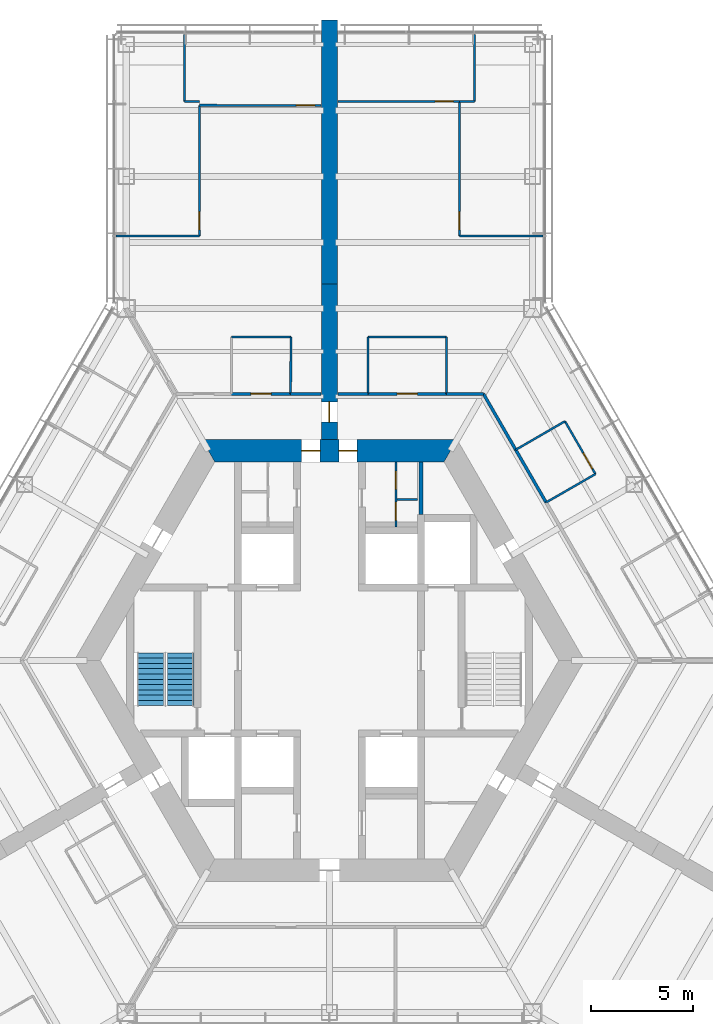
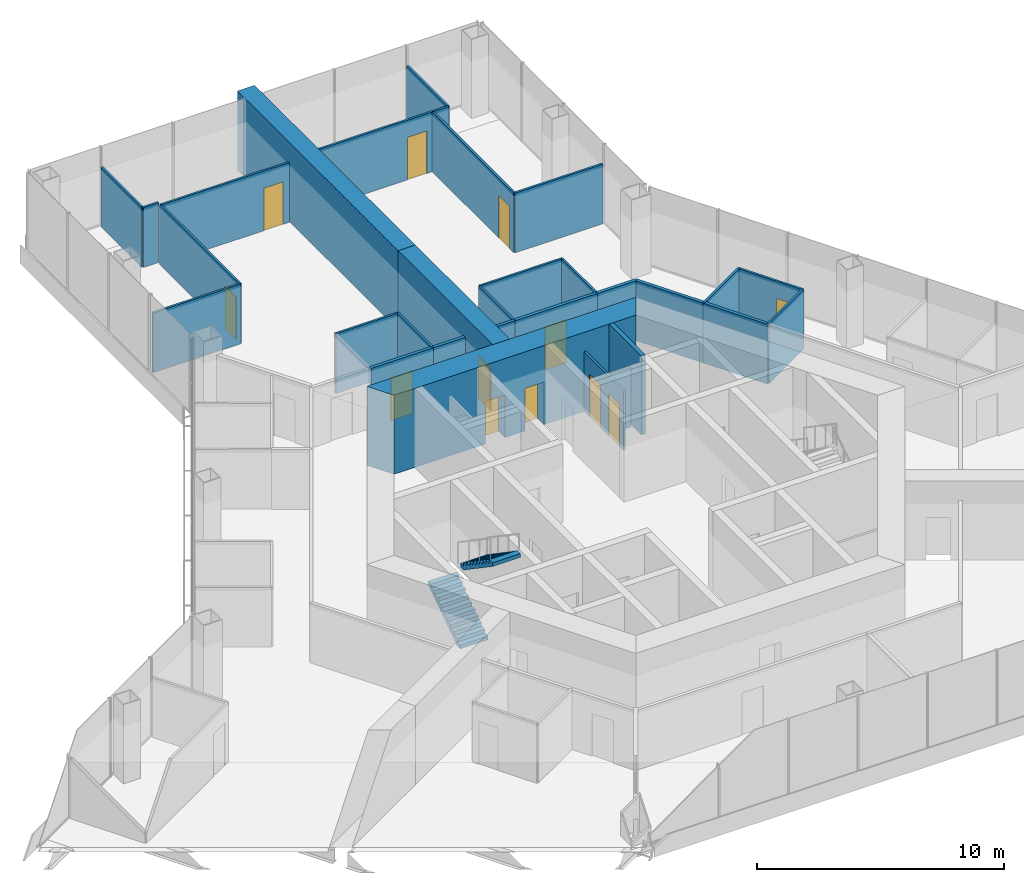
# One storey, part 15 of 18: 31 walls, 12 doors, 2 stair flights, 12 openings, 1 element without a shape of its own.
"""IFC4 building model written with IfcOpenShell, lengths in metres."""

from ifc_helpers import new_model, si_unit, direction, frame, frame_2d, origin, place, context, subcontext, project, spatial, polyline, rectangle, outline, extrude, material, layer, layer_set, type_object, element, fill, aggregate, save


model = new_model("IFC4")

# Units and contexts
model_context = context("Model", 3, precision=1e-05, world=origin(), true_north=direction((0.0, 1.0)))
body_context = subcontext(model_context, "Body", "Model", "MODEL_VIEW")
ifc_project = project(units=[si_unit("LENGTHUNIT", "METRE"), si_unit("AREAUNIT", "SQUARE_METRE"), si_unit("VOLUMEUNIT", "CUBIC_METRE"), si_unit("PLANEANGLEUNIT", "RADIAN"), si_unit("MASSUNIT", "GRAM", prefix="KILO")], contexts=[model_context])

# Site, building, storey
site_placement = place(None, origin())
site = spatial("IfcSite", under=ifc_project, at=site_placement, CompositionType="ELEMENT")
building_placement = place(site_placement, origin())
building = spatial("IfcBuilding", under=site, at=building_placement, Name="Kasaneha Research Tower", CompositionType="ELEMENT")
storey_placement = place(building_placement, frame((0.0, 0.0, 69.0)))
storey = spatial("IfcBuildingStorey", under=building, at=storey_placement, Name="L17", CompositionType="ELEMENT", Elevation=69.0)

# Wall, openings, doors
ifc_material_1 = material(Name="Concrete Fc80", Category="concrete")
ifc_layer_1 = layer(ifc_material_1, 1.10009765625)
ifc_layer_set_1 = layer_set([ifc_layer_1], Name="Core wall 1100 Fc80")
wall_type_1 = type_object("IfcWallType", Name="Core wall 1100 Fc80", PredefinedType="SHEAR", material=ifc_layer_set_1)
wall_1_placement = place(storey_placement, frame((5.961181640625, 10.324951171875, 0.0), z_axis=(0.0, 0.0, 1.0), x_axis=(-1.0, 0.0, 0.0)))
wall_1 = element("IfcWall", 1, at=wall_1_placement, inside=storey, type_object=wall_type_1, Name="Core wall 090 L17", PredefinedType="SHEAR", context=body_context, shape_type="SweptSolid", body=[
    extrude(outline(polyline([(-0.317626953125, -0.550048828125), (4.5986328125, -0.550048828125), (5.49853515625, -0.550048828125), (6.423583984375, -0.550048828125), (7.323486328125, -0.550048828125), (12.239990234375, -0.550048828125), (11.604736328125, 0.550048828125), (7.323486328125, 0.550048828125), (6.423583984375, 0.550048828125), (5.49853515625, 0.550048828125), (4.5986328125, 0.550048828125), (0.317626953125, 0.550048828125), (-0.317626953125, -0.550048828125)])), origin(), (0.0, 0.0, 1.0), 3.89990234375),
])
opening_1_placement = place(wall_1_placement, frame((6.423583984375, 0.0, 0.0)))
opening_1 = element("IfcOpeningElement", 2, at=opening_1_placement, cuts=wall_1, Name="Opening L17-D01", PredefinedType="OPENING", context=body_context, shape_type="SweptSolid", body=[
    extrude(rectangle(XDim=0.89990234375, YDim=2.10009765625, at=frame_2d((0.449951171875, 1.050048828125))), frame((0.0, 0.56005859375, 0.0), z_axis=(0.0, -1.0, 0.0), x_axis=(1.0, 0.0, 0.0)), (0.0, 0.0, 1.0), 1.1201171875),
])
opening_2_placement = place(wall_1_placement, frame((4.5986328125, 0.0, 0.0)))
opening_2 = element("IfcOpeningElement", 3, at=opening_2_placement, cuts=wall_1, Name="Opening L17-D02", PredefinedType="OPENING", context=body_context, shape_type="SweptSolid", body=[
    extrude(rectangle(XDim=0.89990234375, YDim=2.10009765625, at=frame_2d((0.449951171875, 1.050048828125))), frame((0.0, 0.56005859375, 0.0), z_axis=(0.0, -1.0, 0.0), x_axis=(1.0, 0.0, 0.0)), (0.0, 0.0, 1.0), 1.1201171875),
])
ifc_material_2 = material(Name="Steel", Category="steel")
door_type_1 = type_object("IfcDoorType", Name="Toilet door FD20 900x2100", OperationType="NOTDEFINED", PredefinedType="DOOR", material=ifc_material_2)
door_1_placement = place(opening_1_placement, origin())
door_1 = element("IfcDoor", 4, at=door_1_placement, inside=storey, type_object=door_type_1, Name="Core door north 1 L17-D01", OperationType="SINGLE_SWING_RIGHT", OverallHeight=2.10009765625, OverallWidth=0.89990234375, PredefinedType="DOOR", context=body_context, shape_type="SweptSolid", body=[
    extrude(rectangle(XDim=0.89990234375, YDim=2.10009765625, at=frame_2d((0.449951171875, 1.050048828125))), frame((0.0, 0.02490234375, 0.0), z_axis=(0.0, -1.0, 0.0), x_axis=(1.0, 0.0, 0.0)), (0.0, 0.0, 1.0), 0.050048828125),
])
fill(opening_1, door_1)
door_2_placement = place(opening_2_placement, origin())
door_2 = element("IfcDoor", 5, at=door_2_placement, inside=storey, type_object=door_type_1, Name="Core door north 2 L17-D02", OperationType="SINGLE_SWING_LEFT", OverallHeight=2.10009765625, OverallWidth=0.89990234375, PredefinedType="DOOR", context=body_context, shape_type="SweptSolid", body=[
    extrude(rectangle(XDim=0.89990234375, YDim=2.10009765625, at=frame_2d((0.449951171875, 1.050048828125))), frame((0.0, 0.02490234375, 0.0), z_axis=(0.0, -1.0, 0.0), x_axis=(1.0, 0.0, 0.0)), (0.0, 0.0, 1.0), 0.050048828125),
])
fill(opening_2, door_2)

ifc_material_3 = material(Name="Gypsum board on steel studs, one layer each side", Category="steel")
ifc_layer_2 = layer(ifc_material_3, 0.10009765625)
ifc_layer_set_2 = layer_set([ifc_layer_2], Name="Office partition 100")
wall_type_2 = type_object("IfcWallType", Name="Office partition 100", PredefinedType="PARTITIONING", material=ifc_layer_set_2)
wall_2_placement = place(storey_placement, frame((3.27490234375, 6.574951171875, 0.0), z_axis=(0.0, 0.0, 1.0), x_axis=(0.0, 1.0, 0.0)))
wall_2 = element("IfcWall", 6, at=wall_2_placement, inside=storey, type_object=wall_type_2, Name="Office partition TBF1 L17", PredefinedType="PARTITIONING", context=body_context, shape_type="SweptSolid", body=[
    extrude(rectangle(XDim=3.199951171875, YDim=0.10009765625, at=frame_2d((1.60009765625, 0.0))), origin(), (0.0, 0.0, 1.0), 2.949951171875),
])
opening_3_placement = place(wall_2_placement, frame((1.85009765625, 0.0, 0.0)))
opening_3 = element("IfcOpeningElement", 7, at=opening_3_placement, cuts=wall_2, Name="Opening L17-D22", PredefinedType="OPENING", context=body_context, shape_type="SweptSolid", body=[
    extrude(rectangle(XDim=0.89990234375, YDim=2.10009765625, at=frame_2d((0.449951171875, 1.050048828125))), frame((0.0, 0.06005859375, 0.0), z_axis=(0.0, -1.0, 0.0), x_axis=(1.0, 0.0, 0.0)), (0.0, 0.0, 1.0), 0.1201171875),
])
opening_4_placement = place(wall_2_placement, frame((0.324951171875, 0.0, 0.0)))
opening_4 = element("IfcOpeningElement", 8, at=opening_4_placement, cuts=wall_2, Name="Opening L17-D23", PredefinedType="OPENING", context=body_context, shape_type="SweptSolid", body=[
    extrude(rectangle(XDim=0.89990234375, YDim=2.10009765625, at=frame_2d((0.449951171875, 1.050048828125))), frame((0.0, 0.06005859375, 0.0), z_axis=(0.0, -1.0, 0.0), x_axis=(1.0, 0.0, 0.0)), (0.0, 0.0, 1.0), 0.1201171875),
])
ifc_material_4 = material(Name="Steel", Category="steel")
door_type_2 = type_object("IfcDoorType", Name="Toilet lobby door FD30 900x2100", OperationType="NOTDEFINED", PredefinedType="DOOR", material=ifc_material_4)
door_3_placement = place(opening_3_placement, origin())
door_3 = element("IfcDoor", 9, at=door_3_placement, inside=storey, type_object=door_type_2, Name="Women's WC door L17-D22", OperationType="SINGLE_SWING_RIGHT", OverallHeight=2.10009765625, OverallWidth=0.89990234375, PredefinedType="DOOR", context=body_context, shape_type="SweptSolid", body=[
    extrude(rectangle(XDim=0.89990234375, YDim=2.10009765625, at=frame_2d((0.449951171875, 1.050048828125))), frame((0.0, 0.02490234375, 0.0), z_axis=(0.0, -1.0, 0.0), x_axis=(1.0, 0.0, 0.0)), (0.0, 0.0, 1.0), 0.050048828125),
])
fill(opening_3, door_3)
door_4_placement = place(opening_4_placement, origin())
door_4 = element("IfcDoor", 10, at=door_4_placement, inside=storey, type_object=door_type_2, Name="Cleaner's store door L17-D23", OperationType="SINGLE_SWING_RIGHT", OverallHeight=2.10009765625, OverallWidth=0.89990234375, PredefinedType="DOOR", context=body_context, shape_type="SweptSolid", body=[
    extrude(rectangle(XDim=0.89990234375, YDim=2.10009765625, at=frame_2d((0.449951171875, 1.050048828125))), frame((0.0, 0.02490234375, 0.0), z_axis=(0.0, -1.0, 0.0), x_axis=(1.0, 0.0, 0.0)), (0.0, 0.0, 1.0), 0.050048828125),
])
fill(opening_4, door_4)

# Walls
wall_3_placement = place(storey_placement, frame((3.324951171875, 7.925048828125, 0.0), z_axis=(0.0, 0.0, 1.0), x_axis=(1.0, 0.0, 0.0)))
element("IfcWall", 11, at=wall_3_placement, inside=storey, type_object=wall_type_2, Name="Office partition TBF2 L17", PredefinedType="PARTITIONING", context=body_context, shape_type="SweptSolid", body=[
    extrude(rectangle(XDim=1.0, YDim=0.10009765625, at=frame_2d((0.5, 0.0))), origin(), (0.0, 0.0, 1.0), 2.949951171875),
])
wall_4_placement = place(storey_placement, frame((1.89990234375, 15.925048828125, 0.0), z_axis=(0.0, 0.0, 1.0), x_axis=(1.0, 0.0, 0.0)))
element("IfcWall", 12, at=wall_4_placement, inside=storey, type_object=wall_type_2, Name="Office partition FAE07 L17", PredefinedType="PARTITIONING", context=body_context, shape_type="SweptSolid", body=[
    extrude(rectangle(XDim=3.857177734375, YDim=0.10009765625, at=frame_2d((1.9287109375, 0.0))), origin(), (0.0, 0.0, 1.0), 2.949951171875),
])
for number, where, z_axis, x_axis, name in (
    (13, (1.904541015625, 13.125, 0.0), (0.0, 0.0, 1.0), (-0.001656637364, 0.999998627775, 0.0), "Office partition FAE08 L17"),
    (14, (5.757080078125, 15.925048828125, 0.0), (0.0, 0.0, 1.0), (-0.001656637364, -0.999998627775, 0.0), "Office partition FAE09 L17"),
    (15, (9.168701171875, 10.369140625, 0.0), (0.0, 0.0, 1.0), (0.865255114713, 0.501331812737, 0.0), "Office partition FAE10 L17"),
):
    element("IfcWall", number, at=place(storey_placement, frame(where, z_axis=z_axis, x_axis=x_axis)), inside=storey, type_object=wall_type_2, Name=name, PredefinedType="PARTITIONING", context=body_context, shape_type="SweptSolid", body=[
        extrude(rectangle(XDim=2.800048828125, YDim=0.10009765625, at=frame_2d((1.39990234375, 0.0))), origin(), (0.0, 0.0, 1.0), 2.949951171875),
    ])

# Wall, opening, door
wall_5_placement = place(storey_placement, frame((11.591552734375, 11.77294921875, 0.0), z_axis=(0.0, 0.0, 1.0), x_axis=(0.499990139034, -0.866031096941, 0.0)))
wall_5 = element("IfcWall", 16, at=wall_5_placement, inside=storey, type_object=wall_type_2, Name="Office partition FAE11 L17", PredefinedType="PARTITIONING", context=body_context, shape_type="SweptSolid", body=[
    extrude(rectangle(XDim=3.0, YDim=0.10009765625, at=frame_2d((1.5, 0.0))), origin(), (0.0, 0.0, 1.0), 2.949951171875),
])
opening_5_placement = place(wall_5_placement, frame((1.800048828125, 0.0, 0.0)))
opening_5 = element("IfcOpeningElement", 17, at=opening_5_placement, cuts=wall_5, Name="Opening L17-D30", PredefinedType="OPENING", context=body_context, shape_type="SweptSolid", body=[
    extrude(rectangle(XDim=0.89990234375, YDim=2.10009765625, at=frame_2d((0.449951171875, 1.050048828125))), frame((0.0, 0.06005859375, 0.0), z_axis=(0.0, -1.0, 0.0), x_axis=(1.0, 0.0, 0.0)), (0.0, 0.0, 1.0), 0.1201171875),
])
ifc_material_5 = material(Name="Timber veneer", Category="wood")
door_type_3 = type_object("IfcDoorType", Name="Office door 900x2100", OperationType="SINGLE_SWING_LEFT", PredefinedType="DOOR", material=ifc_material_5)
door_5_placement = place(opening_5_placement, origin())
door_5 = element("IfcDoor", 18, at=door_5_placement, inside=storey, type_object=door_type_3, Name="Pantry door L17-D30", OperationType="SINGLE_SWING_RIGHT", OverallHeight=2.10009765625, OverallWidth=0.89990234375, PredefinedType="DOOR", context=body_context, shape_type="SweptSolid", body=[
    extrude(rectangle(XDim=0.89990234375, YDim=2.10009765625, at=frame_2d((0.449951171875, 1.050048828125))), frame((0.0, 0.02490234375, 0.0), z_axis=(0.0, -1.0, 0.0), x_axis=(1.0, 0.0, 0.0)), (0.0, 0.0, 1.0), 0.050048828125),
])
fill(opening_5, door_5)

# Walls
wall_6_placement = place(storey_placement, frame((13.091552734375, 9.1748046875, 0.0), z_axis=(0.0, 0.0, 1.0), x_axis=(-0.866855433567, -0.498559582492, 0.0)))
element("IfcWall", 19, at=wall_6_placement, inside=storey, type_object=wall_type_2, Name="Office partition FAE12 L17", PredefinedType="PARTITIONING", context=body_context, shape_type="SweptSolid", body=[
    extrude(rectangle(XDim=2.800048828125, YDim=0.10009765625, at=frame_2d((1.39990234375, 0.0))), origin(), (0.0, 0.0, 1.0), 2.949951171875),
])
wall_7_placement = place(storey_placement, frame((6.39892578125, 27.515380859375, 0.0), z_axis=(0.0, 0.0, 1.0), x_axis=(0.999975631037, 0.00698121285, 0.0)))
element("IfcWall", 20, at=wall_7_placement, inside=storey, type_object=wall_type_2, Name="Office partition FAE13 L17", PredefinedType="PARTITIONING", context=body_context, shape_type="SweptSolid", body=[
    extrude(rectangle(XDim=0.734375, YDim=0.10009765625, at=frame_2d((0.3671875, 0.0))), origin(), (0.0, 0.0, 1.0), 2.949951171875),
])
wall_8_placement = place(storey_placement, frame((7.13330078125, 27.5205078125, 0.0), z_axis=(0.0, 0.0, 1.0), x_axis=(0.000148864903, 0.99999998892, 0.0)))
element("IfcWall", 21, at=wall_8_placement, inside=storey, type_object=wall_type_2, Name="Office partition FAE14 L17", PredefinedType="PARTITIONING", context=body_context, shape_type="SweptSolid", body=[
    extrude(rectangle(XDim=3.280029296875, YDim=0.10009765625, at=frame_2d((1.64013671875, 0.0))), origin(), (0.0, 0.0, 1.0), 2.949951171875),
])

# Wall, opening, door
wall_9_placement = place(storey_placement, frame((6.39990234375, 20.89111328125, 0.0), z_axis=(0.0, 0.0, 1.0), x_axis=(0.000626104768, 0.999999803996, 0.0)))
wall_9 = element("IfcWall", 22, at=wall_9_placement, inside=storey, type_object=wall_type_2, Name="Office partition FAE15 L17", PredefinedType="PARTITIONING", context=body_context, shape_type="SweptSolid", body=[
    extrude(rectangle(XDim=6.62890625, YDim=0.10009765625, at=frame_2d((3.314453125, 0.0))), origin(), (0.0, 0.0, 1.0), 2.949951171875),
])
opening_6_placement = place(wall_9_placement, frame((0.300048828125, 0.0, 0.0)))
opening_6 = element("IfcOpeningElement", 23, at=opening_6_placement, cuts=wall_9, Name="Opening L17-D31", PredefinedType="OPENING", context=body_context, shape_type="SweptSolid", body=[
    extrude(rectangle(XDim=0.89990234375, YDim=2.10009765625, at=frame_2d((0.449951171875, 1.050048828125))), frame((0.0, 0.06005859375, 0.0), z_axis=(0.0, -1.0, 0.0), x_axis=(1.0, 0.0, 0.0)), (0.0, 0.0, 1.0), 0.1201171875),
])
door_6_placement = place(opening_6_placement, origin())
door_6 = element("IfcDoor", 24, at=door_6_placement, inside=storey, type_object=door_type_3, Name="Project room door L17-D31", OperationType="SINGLE_SWING_LEFT", OverallHeight=2.10009765625, OverallWidth=0.89990234375, PredefinedType="DOOR", context=body_context, shape_type="SweptSolid", body=[
    extrude(rectangle(XDim=0.89990234375, YDim=2.10009765625, at=frame_2d((0.449951171875, 1.050048828125))), frame((0.0, 0.02490234375, 0.0), z_axis=(0.0, -1.0, 0.0), x_axis=(1.0, 0.0, 0.0)), (0.0, 0.0, 1.0), 0.050048828125),
])
fill(opening_6, door_6)

# Wall
wall_10_placement = place(storey_placement, frame((10.5, 20.89111328125, 0.0), z_axis=(0.0, 0.0, 1.0), x_axis=(-1.0, 0.0, 0.0)))
element("IfcWall", 25, at=wall_10_placement, inside=storey, type_object=wall_type_2, Name="Office partition FAE16 L17", PredefinedType="PARTITIONING", context=body_context, shape_type="SweptSolid", body=[
    extrude(rectangle(XDim=4.10009765625, YDim=0.10009765625, at=frame_2d((2.050048828125, 0.0))), origin(), (0.0, 0.0, 1.0), 2.949951171875),
])

# Wall, opening, door
wall_11_placement = place(storey_placement, frame((6.404052734375, 27.5205078125, 0.0), z_axis=(0.0, 0.0, 1.0), x_axis=(-1.0, 0.0, 0.0)))
wall_11 = element("IfcWall", 26, at=wall_11_placement, inside=storey, type_object=wall_type_2, Name="Office partition FAE17 L17", PredefinedType="PARTITIONING", context=body_context, shape_type="SweptSolid", body=[
    extrude(rectangle(XDim=5.984130859375, YDim=0.10009765625, at=frame_2d((2.9921875, 0.0))), origin(), (0.0, 0.0, 1.0), 2.949951171875),
])
opening_7_placement = place(wall_11_placement, frame((0.300048828125, 0.0, 0.0)))
opening_7 = element("IfcOpeningElement", 27, at=opening_7_placement, cuts=wall_11, Name="Opening L17-D32", PredefinedType="OPENING", context=body_context, shape_type="SweptSolid", body=[
    extrude(rectangle(XDim=0.89990234375, YDim=2.10009765625, at=frame_2d((0.449951171875, 1.050048828125))), frame((0.0, 0.06005859375, 0.0), z_axis=(0.0, -1.0, 0.0), x_axis=(1.0, 0.0, 0.0)), (0.0, 0.0, 1.0), 0.1201171875),
])
door_7_placement = place(opening_7_placement, origin())
door_7 = element("IfcDoor", 28, at=door_7_placement, inside=storey, type_object=door_type_3, Name="Meeting room door L17-D32", OperationType="SINGLE_SWING_LEFT", OverallHeight=2.10009765625, OverallWidth=0.89990234375, PredefinedType="DOOR", context=body_context, shape_type="SweptSolid", body=[
    extrude(rectangle(XDim=0.89990234375, YDim=2.10009765625, at=frame_2d((0.449951171875, 1.050048828125))), frame((0.0, 0.02490234375, 0.0), z_axis=(0.0, -1.0, 0.0), x_axis=(1.0, 0.0, 0.0)), (0.0, 0.0, 1.0), 0.050048828125),
])
fill(opening_7, door_7)

# Walls
wall_12_placement = place(storey_placement, frame((-4.8291015625, 15.925048828125, 0.0), z_axis=(0.0, 0.0, 1.0), x_axis=(1.0, 0.0, 0.0)))
element("IfcWall", 29, at=wall_12_placement, inside=storey, type_object=wall_type_2, Name="Office partition FAW04 L17", PredefinedType="PARTITIONING", context=body_context, shape_type="SweptSolid", body=[
    extrude(rectangle(XDim=2.92919921875, YDim=0.10009765625, at=frame_2d((1.464599609375, 0.0))), origin(), (0.0, 0.0, 1.0), 2.949951171875),
])
wall_13_placement = place(storey_placement, frame((-1.89990234375, 15.925048828125, 0.0), z_axis=(0.0, 0.0, 1.0), x_axis=(-0.001656637364, -0.999998627775, 0.0)))
element("IfcWall", 30, at=wall_13_placement, inside=storey, type_object=wall_type_2, Name="Office partition FAW06 L17", PredefinedType="PARTITIONING", context=body_context, shape_type="SweptSolid", body=[
    extrude(rectangle(XDim=2.800048828125, YDim=0.10009765625, at=frame_2d((1.39990234375, 0.0))), origin(), (0.0, 0.0, 1.0), 2.949951171875),
])
wall_14_placement = place(storey_placement, frame((-7.1337890625, 27.5107421875, 0.0), z_axis=(0.0, 0.0, 1.0), x_axis=(1.0, 0.0, 0.0)))
element("IfcWall", 31, at=wall_14_placement, inside=storey, type_object=wall_type_2, Name="Office partition FAW07 L17", PredefinedType="PARTITIONING", context=body_context, shape_type="SweptSolid", body=[
    extrude(rectangle(XDim=0.73388671875, YDim=0.10009765625, at=frame_2d((0.366943359375, 0.0))), origin(), (0.0, 0.0, 1.0), 2.949951171875),
])
wall_15_placement = place(storey_placement, frame((-7.1337890625, 30.800537109375, 0.0), z_axis=(0.0, 0.0, 1.0), x_axis=(0.0, -1.0, 0.0)))
element("IfcWall", 32, at=wall_15_placement, inside=storey, type_object=wall_type_2, Name="Office partition FAW08 L17", PredefinedType="PARTITIONING", context=body_context, shape_type="SweptSolid", body=[
    extrude(rectangle(XDim=3.289794921875, YDim=0.10009765625, at=frame_2d((1.64501953125, 0.0))), origin(), (0.0, 0.0, 1.0), 2.949951171875),
])
wall_16_placement = place(storey_placement, frame((-6.39990234375, 20.89111328125, 0.0), z_axis=(0.0, 0.0, 1.0), x_axis=(-1.0, 0.0, 0.0)))
element("IfcWall", 33, at=wall_16_placement, inside=storey, type_object=wall_type_2, Name="Office partition FAW09 L17", PredefinedType="PARTITIONING", context=body_context, shape_type="SweptSolid", body=[
    extrude(rectangle(XDim=4.10009765625, YDim=0.10009765625, at=frame_2d((2.050048828125, 0.0))), origin(), (0.0, 0.0, 1.0), 2.949951171875),
])

# Wall, opening, door
wall_17_placement = place(storey_placement, frame((-6.39990234375, 27.324951171875, 0.0), z_axis=(0.0, 0.0, 1.0), x_axis=(0.0, -1.0, 0.0)))
wall_17 = element("IfcWall", 34, at=wall_17_placement, inside=storey, type_object=wall_type_2, Name="Office partition FAW10 L17", PredefinedType="PARTITIONING", context=body_context, shape_type="SweptSolid", body=[
    extrude(rectangle(XDim=6.433837890625, YDim=0.10009765625, at=frame_2d((3.216796875, 0.0))), origin(), (0.0, 0.0, 1.0), 2.949951171875),
])
opening_8_placement = place(wall_17_placement, frame((5.23388671875, 0.0, 0.0)))
opening_8 = element("IfcOpeningElement", 35, at=opening_8_placement, cuts=wall_17, Name="Opening L17-D37", PredefinedType="OPENING", context=body_context, shape_type="SweptSolid", body=[
    extrude(rectangle(XDim=0.89990234375, YDim=2.10009765625, at=frame_2d((0.449951171875, 1.050048828125))), frame((0.0, 0.06005859375, 0.0), z_axis=(0.0, -1.0, 0.0), x_axis=(1.0, 0.0, 0.0)), (0.0, 0.0, 1.0), 0.1201171875),
])
door_8_placement = place(opening_8_placement, origin())
door_8 = element("IfcDoor", 36, at=door_8_placement, inside=storey, type_object=door_type_3, Name="Project room door L17-D37", OperationType="SINGLE_SWING_RIGHT", OverallHeight=2.10009765625, OverallWidth=0.89990234375, PredefinedType="DOOR", context=body_context, shape_type="SweptSolid", body=[
    extrude(rectangle(XDim=0.89990234375, YDim=2.10009765625, at=frame_2d((0.449951171875, 1.050048828125))), frame((0.0, 0.02490234375, 0.0), z_axis=(0.0, -1.0, 0.0), x_axis=(1.0, 0.0, 0.0)), (0.0, 0.0, 1.0), 0.050048828125),
])
fill(opening_8, door_8)

wall_18_placement = place(storey_placement, frame((-0.419921875, 27.320556640625, 0.0), z_axis=(0.0, 0.0, 1.0), x_axis=(-0.99999972998, 0.000734873648, 0.0)))
wall_18 = element("IfcWall", 37, at=wall_18_placement, inside=storey, type_object=wall_type_2, Name="Office partition FAW11 L17", PredefinedType="PARTITIONING", context=body_context, shape_type="SweptSolid", body=[
    extrude(rectangle(XDim=5.97998046875, YDim=0.10009765625, at=frame_2d((2.989990234375, 0.0))), origin(), (0.0, 0.0, 1.0), 2.949951171875),
])
opening_9_placement = place(wall_18_placement, frame((0.300048828125, 0.0, 0.0)))
opening_9 = element("IfcOpeningElement", 38, at=opening_9_placement, cuts=wall_18, Name="Opening L17-D38", PredefinedType="OPENING", context=body_context, shape_type="SweptSolid", body=[
    extrude(rectangle(XDim=0.89990234375, YDim=2.10009765625, at=frame_2d((0.449951171875, 1.050048828125))), frame((0.0, 0.06005859375, 0.0), z_axis=(0.0, -1.0, 0.0), x_axis=(1.0, 0.0, 0.0)), (0.0, 0.0, 1.0), 0.1201171875),
])
door_9_placement = place(opening_9_placement, origin())
door_9 = element("IfcDoor", 39, at=door_9_placement, inside=storey, type_object=door_type_3, Name="Meeting room door L17-D38", OperationType="SINGLE_SWING_LEFT", OverallHeight=2.10009765625, OverallWidth=0.89990234375, PredefinedType="DOOR", context=body_context, shape_type="SweptSolid", body=[
    extrude(rectangle(XDim=0.89990234375, YDim=2.10009765625, at=frame_2d((0.449951171875, 1.050048828125))), frame((0.0, 0.02490234375, 0.0), z_axis=(0.0, -1.0, 0.0), x_axis=(1.0, 0.0, 0.0)), (0.0, 0.0, 1.0), 0.050048828125),
])
fill(opening_9, door_9)

# Wall
ifc_material_6 = material(Name="Concrete block", Category="concrete")
ifc_layer_3 = layer(ifc_material_6, 0.199951171875)
ifc_layer_set_3 = layer_set([ifc_layer_3], Name="Riser enclosure wall 200")
wall_type_3 = type_object("IfcWallType", Name="Riser enclosure wall 200", PredefinedType="STANDARD", material=ifc_layer_set_3)
wall_19_placement = place(storey_placement, frame((4.5, 7.175048828125, 0.0), z_axis=(0.0, 0.0, 1.0), x_axis=(0.0, 1.0, 0.0)))
element("IfcWall", 40, at=wall_19_placement, inside=storey, type_object=wall_type_3, Name="Riser enclosure wall L17", PredefinedType="STANDARD", context=body_context, shape_type="SweptSolid", body=[
    extrude(rectangle(XDim=2.599853515625, YDim=0.199951171875, at=frame_2d((1.2998046875, 0.0))), origin(), (0.0, 0.0, 1.0), 3.89990234375),
])

# Wall, opening, door
ifc_material_7 = material(Name="Concrete Fc80", Category="concrete")
ifc_layer_4 = layer(ifc_material_7, 0.800048828125)
ifc_layer_set_4 = layer_set([ifc_layer_4], Name="Spine wall 800 Fc80")
wall_type_4 = type_object("IfcWallType", Name="Spine wall 800 Fc80", PredefinedType="SHEAR", material=ifc_layer_set_4)
wall_20_placement = place(storey_placement, frame((0.0, 10.875, 0.0), z_axis=(0.0, 0.0, 1.0), x_axis=(0.0, 1.0, 0.0)))
wall_20 = element("IfcWall", 41, at=wall_20_placement, inside=storey, type_object=wall_type_4, Name="Spine wall A L17", PredefinedType="SHEAR", context=body_context, shape_type="SweptSolid", body=[
    extrude(rectangle(XDim=7.6455078125, YDim=0.800048828125, at=frame_2d((3.82275390625, 0.0))), origin(), (0.0, 0.0, 1.0), 3.89990234375),
])
opening_10_placement = place(wall_20_placement, frame((0.85009765625, 0.0, 0.0)))
opening_10 = element("IfcOpeningElement", 42, at=opening_10_placement, cuts=wall_20, Name="Opening L17-D17", PredefinedType="OPENING", context=body_context, shape_type="SweptSolid", body=[
    extrude(rectangle(XDim=1.0, YDim=2.10009765625, at=frame_2d((0.5, 1.050048828125))), frame((0.0, 0.41015625, 0.0), z_axis=(0.0, -1.0, 0.0), x_axis=(1.0, 0.0, 0.0)), (0.0, 0.0, 1.0), 0.820068359375),
])
ifc_material_8 = material(Name="Steel", Category="steel")
door_type_4 = type_object("IfcDoorType", Name="Specified fire door FD60 1000x2100", OperationType="NOTDEFINED", PredefinedType="DOOR", material=ifc_material_8)
door_10_placement = place(opening_10_placement, origin())
door_10 = element("IfcDoor", 43, at=door_10_placement, inside=storey, type_object=door_type_4, Name="Spine doorway A L17-D17", OperationType="SINGLE_SWING_LEFT", OverallHeight=2.10009765625, OverallWidth=1.0, PredefinedType="DOOR", context=body_context, shape_type="SweptSolid", body=[
    extrude(rectangle(XDim=1.0, YDim=2.10009765625, at=frame_2d((0.5, 1.050048828125))), frame((0.0, 0.02490234375, 0.0), z_axis=(0.0, -1.0, 0.0), x_axis=(1.0, 0.0, 0.0)), (0.0, 0.0, 1.0), 0.050048828125),
])
fill(opening_10, door_10)

# Wall
wall_21_placement = place(storey_placement, frame((0.0, 18.5205078125, 0.0), z_axis=(0.0, 0.0, 1.0), x_axis=(0.0, 1.0, 0.0)))
element("IfcWall", 44, at=wall_21_placement, inside=storey, type_object=wall_type_4, Name="Spine wall A wing L17", PredefinedType="SHEAR", context=body_context, shape_type="SweptSolid", body=[
    extrude(rectangle(XDim=13.0, YDim=0.800048828125, at=frame_2d((6.5, 0.0))), origin(), (0.0, 0.0, 1.0), 3.89990234375),
])

# Wall, opening, door
ifc_material_9 = material(Name="Gypsum board on steel studs, two layers each side", Category="steel")
ifc_layer_5 = layer(ifc_material_9, 0.14990234375)
ifc_layer_set_5 = layer_set([ifc_layer_5], Name="Suite partition 150")
wall_type_5 = type_object("IfcWallType", Name="Suite partition 150", PredefinedType="PARTITIONING", material=ifc_layer_set_5)
wall_22_placement = place(storey_placement, frame((1.89501953125, 13.125, 0.0), z_axis=(0.0, 0.0, 1.0), x_axis=(1.0, 0.0, 0.0)))
wall_22 = element("IfcWall", 45, at=wall_22_placement, inside=storey, type_object=wall_type_5, Name="Suite partition FAE01 L17", PredefinedType="PARTITIONING", context=body_context, shape_type="SweptSolid", body=[
    extrude(rectangle(XDim=3.866943359375, YDim=0.14990234375, at=frame_2d((1.93359375, 0.0))), origin(), (0.0, 0.0, 1.0), 2.949951171875),
])
opening_11_placement = place(wall_22_placement, frame((1.43359375, 0.0, 0.0)))
opening_11 = element("IfcOpeningElement", 46, at=opening_11_placement, cuts=wall_22, Name="Opening L17-D28", PredefinedType="OPENING", context=body_context, shape_type="SweptSolid", body=[
    extrude(rectangle(XDim=1.0, YDim=2.10009765625, at=frame_2d((0.5, 1.050048828125))), frame((0.0, 0.0849609375, 0.0), z_axis=(0.0, -1.0, 0.0), x_axis=(1.0, 0.0, 0.0)), (0.0, 0.0, 1.0), 0.169921875),
])
ifc_material_10 = material(Name="Steel", Category="steel")
door_type_5 = type_object("IfcDoorType", Name="Suite entrance door FD60 1000x2100", OperationType="NOTDEFINED", PredefinedType="DOOR", material=ifc_material_10)
door_11_placement = place(opening_11_placement, origin())
door_11 = element("IfcDoor", 47, at=door_11_placement, inside=storey, type_object=door_type_5, Name="Suite entrance door L17-D28", OperationType="SINGLE_SWING_LEFT", OverallHeight=2.10009765625, OverallWidth=1.0, PredefinedType="DOOR", context=body_context, shape_type="SweptSolid", body=[
    extrude(rectangle(XDim=1.0, YDim=2.10009765625, at=frame_2d((0.5, 1.050048828125))), frame((0.0, 0.02490234375, 0.0), z_axis=(0.0, -1.0, 0.0), x_axis=(1.0, 0.0, 0.0)), (0.0, 0.0, 1.0), 0.050048828125),
])
fill(opening_11, door_11)

# Walls
wall_23_placement = place(storey_placement, frame((9.1640625, 10.377197265625, 0.0), z_axis=(0.0, 0.0, 1.0), x_axis=(0.500038395149, -0.8660032352, 0.0)))
element("IfcWall", 48, at=wall_23_placement, inside=storey, type_object=wall_type_5, Name="Suite partition FAE02 L17", PredefinedType="PARTITIONING", context=body_context, shape_type="SweptSolid", body=[
    extrude(rectangle(XDim=3.010009765625, YDim=0.14990234375, at=frame_2d((1.5048828125, 0.0))), origin(), (0.0, 0.0, 1.0), 2.949951171875),
])
wall_24_placement = place(storey_placement, frame((0.419921875, 13.125, 0.0), z_axis=(0.0, 0.0, 1.0), x_axis=(1.0, 0.0, 0.0)))
element("IfcWall", 49, at=wall_24_placement, inside=storey, type_object=wall_type_5, Name="Suite partition FAE03 L17", PredefinedType="PARTITIONING", context=body_context, shape_type="SweptSolid", body=[
    extrude(rectangle(XDim=1.484619140625, YDim=0.14990234375, at=frame_2d((0.7421875, 0.0))), origin(), (0.0, 0.0, 1.0), 2.949951171875),
])
wall_25_placement = place(storey_placement, frame((5.75244140625, 13.125, 0.0), z_axis=(0.0, 0.0, 1.0), x_axis=(1.0, 0.0, 0.0)))
element("IfcWall", 50, at=wall_25_placement, inside=storey, type_object=wall_type_5, Name="Suite partition FAE04 L17", PredefinedType="PARTITIONING", context=body_context, shape_type="SweptSolid", body=[
    extrude(rectangle(XDim=1.8251953125, YDim=0.14990234375, at=frame_2d((0.91259765625, 0.0))), origin(), (0.0, 0.0, 1.0), 2.949951171875),
])
wall_26_placement = place(storey_placement, frame((7.57763671875, 13.125, 0.0), z_axis=(0.0, 0.0, 1.0), x_axis=(0.499992528944, -0.866029717158, 0.0)))
element("IfcWall", 51, at=wall_26_placement, inside=storey, type_object=wall_type_5, Name="Suite partition FAE05 L17", PredefinedType="PARTITIONING", context=body_context, shape_type="SweptSolid", body=[
    extrude(rectangle(XDim=3.18212890625, YDim=0.14990234375, at=frame_2d((1.591064453125, 0.0))), origin(), (0.0, 0.0, 1.0), 2.949951171875),
])

# Wall, opening, door
wall_27_placement = place(storey_placement, frame((-4.833984375, 13.125, 0.0), z_axis=(0.0, 0.0, 1.0), x_axis=(1.0, 0.0, 0.0)))
wall_27 = element("IfcWall", 52, at=wall_27_placement, inside=storey, type_object=wall_type_5, Name="Suite partition FAW01 L17", PredefinedType="PARTITIONING", context=body_context, shape_type="SweptSolid", body=[
    extrude(rectangle(XDim=2.93896484375, YDim=0.14990234375, at=frame_2d((1.469482421875, 0.0))), origin(), (0.0, 0.0, 1.0), 2.949951171875),
])
opening_12_placement = place(wall_27_placement, frame((0.969482421875, 0.0, 0.0)))
opening_12 = element("IfcOpeningElement", 53, at=opening_12_placement, cuts=wall_27, Name="Opening L17-D35", PredefinedType="OPENING", context=body_context, shape_type="SweptSolid", body=[
    extrude(rectangle(XDim=1.0, YDim=2.10009765625, at=frame_2d((0.5, 1.050048828125))), frame((0.0, 0.0849609375, 0.0), z_axis=(0.0, -1.0, 0.0), x_axis=(1.0, 0.0, 0.0)), (0.0, 0.0, 1.0), 0.169921875),
])
door_12_placement = place(opening_12_placement, origin())
door_12 = element("IfcDoor", 54, at=door_12_placement, inside=storey, type_object=door_type_5, Name="Suite entrance door L17-D35", OperationType="SINGLE_SWING_RIGHT", OverallHeight=2.10009765625, OverallWidth=1.0, PredefinedType="DOOR", context=body_context, shape_type="SweptSolid", body=[
    extrude(rectangle(XDim=1.0, YDim=2.10009765625, at=frame_2d((0.5, 1.050048828125))), frame((0.0, 0.02490234375, 0.0), z_axis=(0.0, -1.0, 0.0), x_axis=(1.0, 0.0, 0.0)), (0.0, 0.0, 1.0), 0.050048828125),
])
fill(opening_12, door_12)

# Wall
wall_28_placement = place(storey_placement, frame((-1.904541015625, 13.125, 0.0), z_axis=(0.0, 0.0, 1.0), x_axis=(1.0, 0.0, 0.0)))
element("IfcWall", 55, at=wall_28_placement, inside=storey, type_object=wall_type_5, Name="Suite partition FAW03 L17", PredefinedType="PARTITIONING", context=body_context, shape_type="SweptSolid", body=[
    extrude(rectangle(XDim=1.484619140625, YDim=0.14990234375, at=frame_2d((0.7421875, 0.0))), origin(), (0.0, 0.0, 1.0), 2.949951171875),
])

# Stair, stair flights
ifc_material_11 = material(Name="Concrete Fc24", Category="concrete")
stair_type = type_object("IfcStairType", Name="Half-turn stair 22 risers", PredefinedType="HALF_TURN_STAIR", material=ifc_material_11)
stair_placement = place(storey_placement, origin())
stair = element("IfcStair", 56, at=stair_placement, inside=storey, type_object=stair_type, Name="Stair 2 L17", PredefinedType="HALF_TURN_STAIR")
ifc_material_12 = material(Name="Concrete Fc24", Category="concrete")
stair_flight_type = type_object("IfcStairFlightType", Name="Stair flight 11 risers 177.3", PredefinedType="STRAIGHT", material=ifc_material_12)
stair_flight_1_placement = place(storey_placement, frame((-8.824951171875, -2.22509765625, 0.0), z_axis=(0.0, 0.0, 1.0), x_axis=(0.0, 1.0, 0.0)))
stair_flight_1 = element("IfcStairFlight", 57, at=stair_flight_1_placement, type_object=stair_flight_type, Name="ST2-22R flight 1", NumberOfRisers=11, NumberOfTreads=10, PredefinedType="STRAIGHT", RiserHeight=0.177272727, TreadLength=0.26, context=body_context, shape_type="SweptSolid", body=[
    extrude(outline(polyline([(0.0, 0.0), (0.0, 0.17724609375), (0.260009765625, 0.17724609375), (0.260009765625, 0.3544921875), (0.52001953125, 0.3544921875), (0.52001953125, 0.53173828125), (0.780029296875, 0.53173828125), (0.780029296875, 0.708984375), (1.0400390625, 0.708984375), (1.0400390625, 0.886474609375), (1.300048828125, 0.886474609375), (1.300048828125, 1.063720703125), (1.56005859375, 1.063720703125), (1.56005859375, 1.240966796875), (1.820068359375, 1.240966796875), (1.820068359375, 1.418212890625), (2.080078125, 1.418212890625), (2.080078125, 1.595458984375), (2.340087890625, 1.595458984375), (2.340087890625, 1.772705078125), (2.60009765625, 1.772705078125), (2.60009765625, 1.949951171875), (2.60009765625, 1.59130859375), (0.26611328125, 0.0), (0.0, 0.0)])), frame((0.0, 0.64990234375, 0.0), z_axis=(0.0, -1.0, 0.0), x_axis=(1.0, 0.0, 0.0)), (0.0, 0.0, 1.0), 1.300048828125),
])
stair_flight_2_placement = place(storey_placement, frame((-7.324951171875, 0.375, 1.949951171875), z_axis=(0.0, 0.0, 1.0), x_axis=(0.0, -1.0, 0.0)))
stair_flight_2 = element("IfcStairFlight", 58, at=stair_flight_2_placement, type_object=stair_flight_type, Name="ST2-22R flight 2", NumberOfRisers=11, NumberOfTreads=10, PredefinedType="STRAIGHT", RiserHeight=0.177272727, TreadLength=0.26, context=body_context, shape_type="SweptSolid", body=[
    extrude(outline(polyline([(0.0, 0.0), (0.0, 0.17724609375), (0.260009765625, 0.17724609375), (0.260009765625, 0.3544921875), (0.52001953125, 0.3544921875), (0.52001953125, 0.53173828125), (0.780029296875, 0.53173828125), (0.780029296875, 0.708984375), (1.0400390625, 0.708984375), (1.0400390625, 0.886474609375), (1.300048828125, 0.886474609375), (1.300048828125, 1.063720703125), (1.56005859375, 1.063720703125), (1.56005859375, 1.240966796875), (1.820068359375, 1.240966796875), (1.820068359375, 1.418212890625), (2.080078125, 1.418212890625), (2.080078125, 1.595458984375), (2.340087890625, 1.595458984375), (2.340087890625, 1.772705078125), (2.60009765625, 1.772705078125), (2.60009765625, 1.949951171875), (2.60009765625, 1.59130859375), (0.26611328125, 0.0), (0.0, 0.0)])), frame((0.0, 0.64990234375, 0.0), z_axis=(0.0, -1.0, 0.0), x_axis=(1.0, 0.0, 0.0)), (0.0, 0.0, 1.0), 1.300048828125),
])
aggregate(stair, [stair_flight_1, stair_flight_2])

save(model, "model.ifc")
